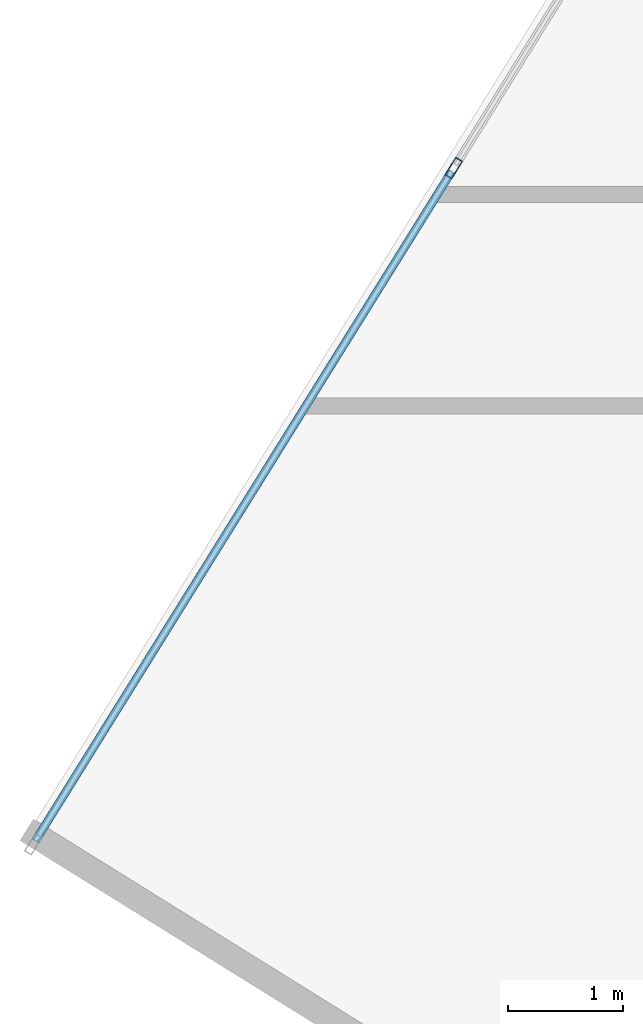
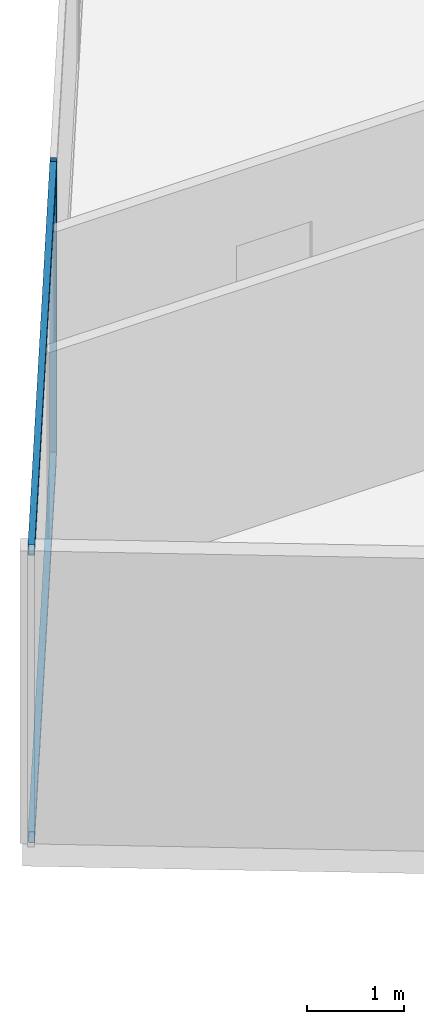
# One storey, part 7 of 25: 3 members, 1 element without a shape of its own.
"""IFC4 building model written with IfcOpenShell, lengths in metres."""

from ifc_helpers import new_model, si_unit, direction, frame, origin, origin_2d, place, context, subcontext, project, spatial, hollow_rectangle, extrude, source, transform, mapped, material, material_profile, profile_set, type_object, type_shapes, element, aggregate, save


model = new_model("IFC4")

# Units and contexts
model_context = context("Model", 3, precision=1e-05, world=origin(), true_north=direction((0.0, 1.0)))
body_context = subcontext(model_context, "Body", "Model", "MODEL_VIEW")
ifc_project = project(units=[si_unit("LENGTHUNIT", "METRE"), si_unit("AREAUNIT", "SQUARE_METRE"), si_unit("VOLUMEUNIT", "CUBIC_METRE"), si_unit("PLANEANGLEUNIT", "RADIAN"), si_unit("MASSUNIT", "GRAM", prefix="KILO")], contexts=[model_context])

# Site, building, storey
site_placement = place(None, origin())
site = spatial("IfcSite", under=ifc_project, at=site_placement, CompositionType="ELEMENT")
building_placement = place(site_placement, origin())
building = spatial("IfcBuilding", under=site, at=building_placement, Name="Krantzveldt Concourse Tower", CompositionType="ELEMENT")
storey_placement = place(building_placement, frame((0.0, 0.0, 181.75)))
storey = spatial("IfcBuildingStorey", under=building, at=storey_placement, Name="L44", CompositionType="ELEMENT", Elevation=181.75)

# Curtain wall, members
ifc_material = material(Name="Anodised aluminium 6063-T6", Category="aluminium")
curtain_wall_type = type_object("IfcCurtainWallType", Name="CW3", PredefinedType="USERDEFINED", material=ifc_material)
curtain_wall_placement = place(storey_placement, origin())
curtain_wall = element("IfcCurtainWall", 1, at=curtain_wall_placement, inside=storey, type_object=curtain_wall_type, Name="CW-L44-F01", ObjectType="UNITISED CURTAIN WALL", PredefinedType="USERDEFINED")
ifc_material_profile_1 = material_profile(ifc_material, hollow_rectangle(XDim=0.070068359375, YDim=0.179931640625, WallThickness=0.0048828125, at=origin_2d()), Name="Anodised aluminium 6063-T6", Category="aluminium")
ifc_profile_set_1 = profile_set([ifc_material_profile_1], Name="Anodised aluminium 6063-T6 - ALU-MULL 180x70x5")
member_type_1 = type_object("IfcMemberType", Name="CW-MUL-180", PredefinedType="MULLION", material=ifc_profile_set_1)
shared_shape_1 = source(origin(), body_context, "Body", "SweptSolid", [
    extrude(hollow_rectangle(XDim=0.070068359375, YDim=0.179931640625, WallThickness=0.0048828125, at=origin_2d()), origin(), (0.0, 0.0, 1.0), 3.669921875),
])
type_shapes(member_type_1, [shared_shape_1])
member_1_placement = place(storey_placement, frame((11.9658203125, 29.3515625, 0.0), z_axis=(0.0, 0.0, 1.0), x_axis=(0.84920214961, -0.528067901977, 0.0)))
member_1 = element("IfcMember", 2, at=member_1_placement, type_object=member_type_1, Name="CW-Z34 mullion 5", PredefinedType="MULLION", context=body_context, shape_type="MappedRepresentation", body=[
    mapped(shared_shape_1, transform((0.0, 0.0, 0.0), x_axis=(1.0, 0.0, 0.0), y_axis=(0.0, 1.0, 0.0), z_axis=(0.0, 0.0, 1.0), scale=1.0)),
])
ifc_material_profile_2 = material_profile(ifc_material, hollow_rectangle(XDim=0.070068359375, YDim=0.139892578125, WallThickness=0.0048828125, at=origin_2d()), Name="Anodised aluminium 6063-T6", Category="aluminium")
ifc_profile_set_2 = profile_set([ifc_material_profile_2], Name="Anodised aluminium 6063-T6 - ALU-TRAN 140x70x5")
member_type_2 = type_object("IfcMemberType", Name="CW-TRN-150", PredefinedType="USERDEFINED", material=ifc_profile_set_2)
shared_shape_2 = source(origin(), body_context, "Body", "SweptSolid", [
    extrude(hollow_rectangle(XDim=0.070068359375, YDim=0.139892578125, WallThickness=0.0048828125, at=origin_2d()), origin(), (0.0, 0.0, 1.0), 6.855224609375),
])
type_shapes(member_type_2, [shared_shape_2])
member_2_placement = place(storey_placement, frame((11.947509765625, 29.32177734375, 0.034912109375), z_axis=(-0.528089629534, -0.849188638159, 0.0), x_axis=(0.849188638159, -0.528089629534, 0.0)))
member_2 = element("IfcMember", 3, at=member_2_placement, type_object=member_type_2, Name="CW-Z34 transom 5.1", ObjectType="TRANSOM", PredefinedType="USERDEFINED", context=body_context, shape_type="MappedRepresentation", body=[
    mapped(shared_shape_2, transform((0.0, 0.0, 0.0), x_axis=(1.0, 0.0, 0.0), y_axis=(0.0, 1.0, 0.0), z_axis=(0.0, 0.0, 1.0), scale=1.0)),
])
member_3_placement = place(storey_placement, frame((11.947509765625, 29.32177734375, 3.635009765625), z_axis=(-0.528089629534, -0.849188638159, 0.0), x_axis=(0.849188638159, -0.528089629534, 0.0)))
member_3 = element("IfcMember", 4, at=member_3_placement, type_object=member_type_2, Name="CW-Z34 transom 5.2", ObjectType="TRANSOM", PredefinedType="USERDEFINED", context=body_context, shape_type="MappedRepresentation", body=[
    mapped(shared_shape_2, transform((0.0, 0.0, 0.0), x_axis=(1.0, 0.0, 0.0), y_axis=(0.0, 1.0, 0.0), z_axis=(0.0, 0.0, 1.0), scale=1.0)),
])
aggregate(curtain_wall, [member_1, member_2, member_3])

save(model, "model.ifc")
